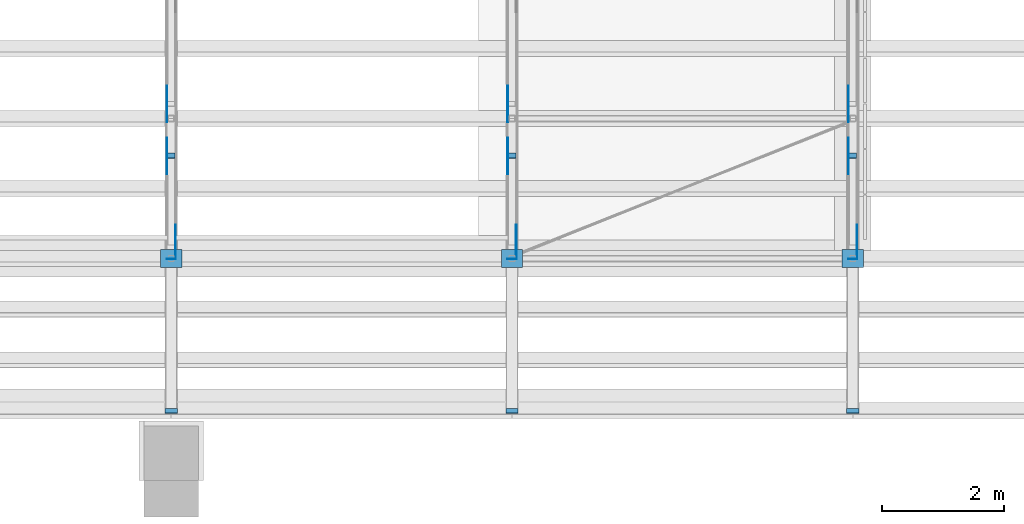
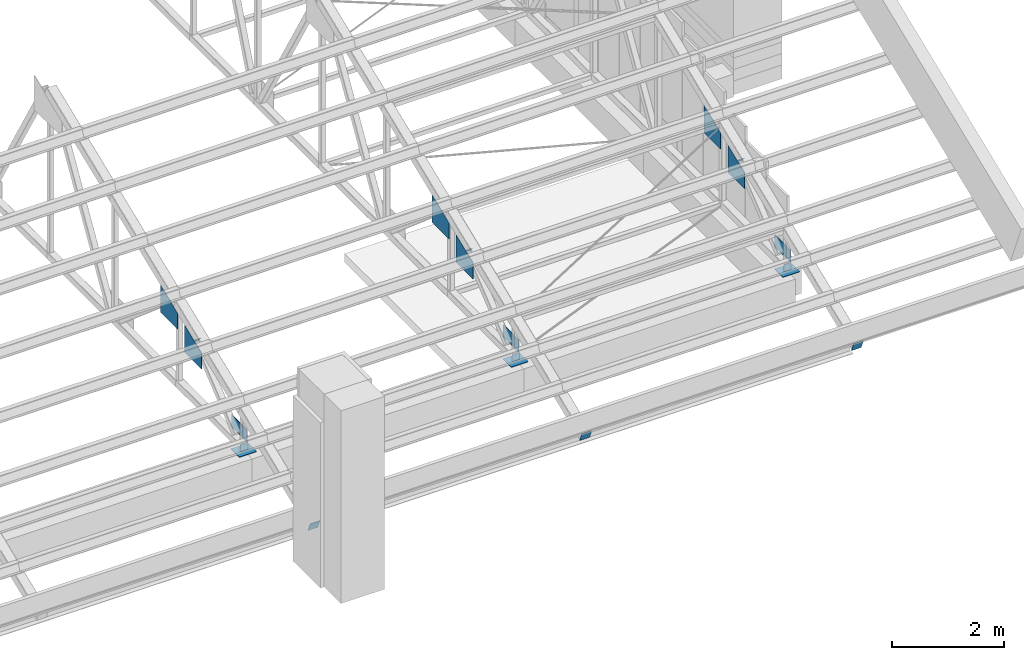
# One storey, part 61 of 71: 21 discrete accessories.
"""IFC4 building model written with IfcOpenShell, lengths in metres."""

from ifc_helpers import new_model, si_unit, direction, frame, origin, origin_2d, place, context, subcontext, project, spatial, polyline, rectangle, outline, extrude, element, save


model = new_model("IFC4")

# Units and contexts
model_context = context("Model", 3, precision=1e-05, world=origin(), true_north=direction((0.0, 1.0)))
body_context = subcontext(model_context, "Body", "Model", "MODEL_VIEW")
ifc_project = project(units=[si_unit("LENGTHUNIT", "METRE"), si_unit("AREAUNIT", "SQUARE_METRE"), si_unit("VOLUMEUNIT", "CUBIC_METRE"), si_unit("PLANEANGLEUNIT", "RADIAN"), si_unit("MASSUNIT", "GRAM", prefix="KILO")], contexts=[model_context])

# Site, building, storey
site_placement = place(None, origin())
site = spatial("IfcSite", under=ifc_project, at=site_placement, CompositionType="ELEMENT")
building_placement = place(site_placement, origin())
building = spatial("IfcBuilding", under=site, at=building_placement, Name="Wasatch Bagh Community Centre", CompositionType="ELEMENT")
storey_placement = place(building_placement, frame((0.0, 0.0, 12.60009765625)))
storey = spatial("IfcBuildingStorey", under=building, at=storey_placement, Name="L03", CompositionType="ELEMENT", Elevation=12.60009765625)

# Discrete accessories
discrete_accessory_1_placement = place(storey_placement, frame((134.60009765625, 35.68896484375, 0.48583984375), z_axis=(0.0, 0.928476690885, 0.371390676354), x_axis=(-1.0, 0.0, 0.0)))
element("IfcDiscreteAccessory", 1, at=discrete_accessory_1_placement, inside=storey, Name="SH.SA5.TC01.EPA", PredefinedType="NOTDEFINED", context=body_context, shape_type="SweptSolid", body=[
    extrude(rectangle(XDim=0.203125, YDim=0.203125, at=origin_2d()), origin(), (0.0, 0.0, 1.0), 0.01171875),
])
discrete_accessory_2_placement = place(storey_placement, frame((134.60009765625, 38.18798828125, 0.68603515625), z_axis=(0.0, 1.0, 0.0), x_axis=(-1.0, 0.0, 0.0)))
element("IfcDiscreteAccessory", 2, at=discrete_accessory_2_placement, inside=storey, Name="SH.SA5.BC01.EPA", PredefinedType="NOTDEFINED", context=body_context, shape_type="SweptSolid", body=[
    extrude(rectangle(XDim=0.15234375, YDim=0.15234375, at=origin_2d()), origin(), (0.0, 0.0, 1.0), 0.011962890625),
])
discrete_accessory_3_placement = place(storey_placement, frame((134.60009765625, 39.885009765625, 1.971923828125), z_axis=(0.0, 0.774865020772, 0.632126727472), x_axis=(-1.0, 0.0, 0.0)))
element("IfcDiscreteAccessory", 3, at=discrete_accessory_3_placement, inside=storey, Name="SH.SA5.WB01.EPB", PredefinedType="NOTDEFINED", context=body_context, shape_type="SweptSolid", body=[
    extrude(rectangle(XDim=0.126953125, YDim=0.126953125, at=origin_2d()), origin(), (0.0, 0.0, 1.0), 0.011962890625),
])
discrete_accessory_4_placement = place(storey_placement, frame((140.199951171875, 35.68896484375, 0.48583984375), z_axis=(0.0, 0.928476690885, 0.371390676354), x_axis=(-1.0, 0.0, 0.0)))
element("IfcDiscreteAccessory", 4, at=discrete_accessory_4_placement, inside=storey, Name="SH.SA6.TC01.EPA", PredefinedType="NOTDEFINED", context=body_context, shape_type="SweptSolid", body=[
    extrude(rectangle(XDim=0.203125, YDim=0.203125, at=origin_2d()), origin(), (0.0, 0.0, 1.0), 0.01171875),
])
discrete_accessory_5_placement = place(storey_placement, frame((140.199951171875, 38.18798828125, 0.68603515625), z_axis=(0.0, 1.0, 0.0), x_axis=(-1.0, 0.0, 0.0)))
element("IfcDiscreteAccessory", 5, at=discrete_accessory_5_placement, inside=storey, Name="SH.SA6.BC01.EPA", PredefinedType="NOTDEFINED", context=body_context, shape_type="SweptSolid", body=[
    extrude(rectangle(XDim=0.15234375, YDim=0.15234375, at=origin_2d()), origin(), (0.0, 0.0, 1.0), 0.011962890625),
])
discrete_accessory_6_placement = place(storey_placement, frame((140.199951171875, 39.885009765625, 1.971923828125), z_axis=(0.0, 0.774865020772, 0.632126727472), x_axis=(-1.0, 0.0, 0.0)))
element("IfcDiscreteAccessory", 6, at=discrete_accessory_6_placement, inside=storey, Name="SH.SA6.WB01.EPB", PredefinedType="NOTDEFINED", context=body_context, shape_type="SweptSolid", body=[
    extrude(rectangle(XDim=0.126953125, YDim=0.126953125, at=origin_2d()), origin(), (0.0, 0.0, 1.0), 0.011962890625),
])
discrete_accessory_7_placement = place(storey_placement, frame((145.800048828125, 35.68896484375, 0.48583984375), z_axis=(0.0, 0.928476690885, 0.371390676354), x_axis=(-1.0, 0.0, 0.0)))
element("IfcDiscreteAccessory", 7, at=discrete_accessory_7_placement, inside=storey, Name="SH.SA7.TC01.EPA", PredefinedType="NOTDEFINED", context=body_context, shape_type="SweptSolid", body=[
    extrude(rectangle(XDim=0.203125, YDim=0.203125, at=origin_2d()), origin(), (0.0, 0.0, 1.0), 0.01171875),
])
discrete_accessory_8_placement = place(storey_placement, frame((145.800048828125, 38.18798828125, 0.68603515625), z_axis=(0.0, 1.0, 0.0), x_axis=(-1.0, 0.0, 0.0)))
element("IfcDiscreteAccessory", 8, at=discrete_accessory_8_placement, inside=storey, Name="SH.SA7.BC01.EPA", PredefinedType="NOTDEFINED", context=body_context, shape_type="SweptSolid", body=[
    extrude(rectangle(XDim=0.15234375, YDim=0.15234375, at=origin_2d()), origin(), (0.0, 0.0, 1.0), 0.011962890625),
])
discrete_accessory_9_placement = place(storey_placement, frame((145.800048828125, 39.885009765625, 1.971923828125), z_axis=(0.0, 0.774865020772, 0.632126727472), x_axis=(-1.0, 0.0, 0.0)))
element("IfcDiscreteAccessory", 9, at=discrete_accessory_9_placement, inside=storey, Name="SH.SA7.WB01.EPB", PredefinedType="NOTDEFINED", context=body_context, shape_type="SweptSolid", body=[
    extrude(rectangle(XDim=0.126953125, YDim=0.126953125, at=origin_2d()), origin(), (0.0, 0.0, 1.0), 0.011962890625),
])
discrete_accessory_10_placement = place(storey_placement, frame((134.676025390625, 38.199951171875, 0.7626953125), z_axis=(1.0, 0.0, 0.0), x_axis=(0.0, 1.0, 0.0)))
element("IfcDiscreteAccessory", 10, at=discrete_accessory_10_placement, inside=storey, Name="Gusset plate", PredefinedType="BRACKET", context=body_context, shape_type="SweptSolid", body=[
    extrude(outline(polyline([(0.0, 0.0), (0.55859375, 0.0), (0.55859375, 0.264892578125), (0.0, 0.264892578125), (0.0, 0.0)])), origin(), (0.0, 0.0, -1.0), 0.011962890625),
])
discrete_accessory_11_placement = place(storey_placement, frame((134.52392578125, 39.5849609375, 1.91455078125), z_axis=(-1.0, 0.0, 0.0), x_axis=(0.0, 0.926014333695, 0.377488349212)))
element("IfcDiscreteAccessory", 11, at=discrete_accessory_11_placement, inside=storey, Name="Gusset plate", PredefinedType="BRACKET", context=body_context, shape_type="SweptSolid", body=[
    extrude(outline(polyline([(0.0, 0.0), (0.6480435932943203, 2.7755575615628914e-17), (0.4236334052252534, 0.5504992437861941), (-0.13206562607924965, 0.3239693701624707), (0.0, 0.0)])), origin(), (0.0, 0.0, -1.0), 0.011962890625),
])
discrete_accessory_12_placement = place(storey_placement, frame((134.52392578125, 40.44140625, 2.263671875), z_axis=(-1.0, 0.0, 0.0), x_axis=(0.0, 0.92713862273, 0.374718526687)))
element("IfcDiscreteAccessory", 12, at=discrete_accessory_12_placement, inside=storey, Name="Gusset plate", PredefinedType="BRACKET", context=body_context, shape_type="SweptSolid", body=[
    extrude(outline(polyline([(0.0, 0.0), (0.06319847816011198, 0.0), (0.6477228616360075, -0.0018023294149140112), (0.4249592843698544, 0.5493652844394852), (-0.1311880779464737, 0.3245890588366359), (0.0, 0.0)])), origin(), (0.0, 0.0, -1.0), 0.011962890625),
])
discrete_accessory_13_placement = place(storey_placement, frame((140.27587890625, 38.199951171875, 0.7626953125), z_axis=(1.0, 0.0, 0.0), x_axis=(0.0, 1.0, 0.0)))
element("IfcDiscreteAccessory", 13, at=discrete_accessory_13_placement, inside=storey, Name="Gusset plate", PredefinedType="BRACKET", context=body_context, shape_type="SweptSolid", body=[
    extrude(outline(polyline([(0.0, 0.0), (0.55859375, 0.0), (0.55859375, 0.264892578125), (0.0, 0.264892578125), (0.0, 0.0)])), origin(), (0.0, 0.0, -1.0), 0.011962890625),
])
discrete_accessory_14_placement = place(storey_placement, frame((140.1240234375, 39.5849609375, 1.91455078125), z_axis=(-1.0, 0.0, 0.0), x_axis=(0.0, 0.926014333695, 0.377488349212)))
element("IfcDiscreteAccessory", 14, at=discrete_accessory_14_placement, inside=storey, Name="Gusset plate", PredefinedType="BRACKET", context=body_context, shape_type="SweptSolid", body=[
    extrude(outline(polyline([(0.0, 0.0), (0.6480435932943203, 2.7755575615628914e-17), (0.4236334052252534, 0.5504992437861941), (-0.13206562607924965, 0.3239693701624707), (0.0, 0.0)])), origin(), (0.0, 0.0, -1.0), 0.011962890625),
])
discrete_accessory_15_placement = place(storey_placement, frame((140.1240234375, 40.44140625, 2.263671875), z_axis=(-1.0, 0.0, 0.0), x_axis=(0.0, 0.92713862273, 0.374718526687)))
element("IfcDiscreteAccessory", 15, at=discrete_accessory_15_placement, inside=storey, Name="Gusset plate", PredefinedType="BRACKET", context=body_context, shape_type="SweptSolid", body=[
    extrude(outline(polyline([(0.0, 0.0), (0.06319847816011198, 0.0), (0.6477228616360075, -0.0018023294149140112), (0.4249592843698544, 0.5493652844394852), (-0.1311880779464737, 0.3245890588366359), (0.0, 0.0)])), origin(), (0.0, 0.0, -1.0), 0.011962890625),
])
discrete_accessory_16_placement = place(storey_placement, frame((145.8759765625, 38.199951171875, 0.7626953125), z_axis=(1.0, 0.0, 0.0), x_axis=(0.0, 1.0, 0.0)))
element("IfcDiscreteAccessory", 16, at=discrete_accessory_16_placement, inside=storey, Name="Gusset plate", PredefinedType="BRACKET", context=body_context, shape_type="SweptSolid", body=[
    extrude(outline(polyline([(0.0, 0.0), (0.55859375, 0.0), (0.55859375, 0.264892578125), (0.0, 0.264892578125), (0.0, 0.0)])), origin(), (0.0, 0.0, -1.0), 0.011962890625),
])
discrete_accessory_17_placement = place(storey_placement, frame((145.72412109375, 39.5849609375, 1.91455078125), z_axis=(-1.0, 0.0, 0.0), x_axis=(0.0, 0.926014333695, 0.377488349212)))
element("IfcDiscreteAccessory", 17, at=discrete_accessory_17_placement, inside=storey, Name="Gusset plate", PredefinedType="BRACKET", context=body_context, shape_type="SweptSolid", body=[
    extrude(outline(polyline([(0.0, 0.0), (0.6480435932943203, 2.7755575615628914e-17), (0.4236334052252534, 0.5504992437861941), (-0.13206562607924965, 0.3239693701624707), (0.0, 0.0)])), origin(), (0.0, 0.0, -1.0), 0.011962890625),
])
discrete_accessory_18_placement = place(storey_placement, frame((145.72412109375, 40.44140625, 2.263671875), z_axis=(-1.0, 0.0, 0.0), x_axis=(0.0, 0.92713862273, 0.374718526687)))
element("IfcDiscreteAccessory", 18, at=discrete_accessory_18_placement, inside=storey, Name="Gusset plate", PredefinedType="BRACKET", context=body_context, shape_type="SweptSolid", body=[
    extrude(outline(polyline([(0.0, 0.0), (0.06319847816011198, 0.0), (0.6477228616360075, -0.0018023294149140112), (0.4249592843698544, 0.5493652844394852), (-0.1311880779464737, 0.3245890588366359), (0.0, 0.0)])), origin(), (0.0, 0.0, -1.0), 0.011962890625),
])
for number, where, z_axis, x_axis, name in (
    (19, (134.60009765625, 38.199951171875, 0.60009765625), (0.0, 0.0, 1.0), (1.0, 0.0, 0.0), "Bearing plate"),
    (20, (140.199951171875, 38.199951171875, 0.60009765625), (0.0, 0.0, 1.0), (1.0, 0.0, 0.0), "Bearing plate"),
    (21, (145.800048828125, 38.199951171875, 0.60009765625), (0.0, 0.0, 1.0), (1.0, 0.0, 0.0), "Bearing plate"),
):
    element("IfcDiscreteAccessory", number, at=place(storey_placement, frame(where, z_axis=z_axis, x_axis=x_axis)), inside=storey, Name=name, PredefinedType="BRACKET", context=body_context, shape_type="SweptSolid", body=[
        extrude(rectangle(XDim=0.35009765625, YDim=0.300048828125, at=origin_2d()), origin(), (0.0, 0.0, 1.0), 0.010009765625),
    ])

save(model, "model.ifc")
